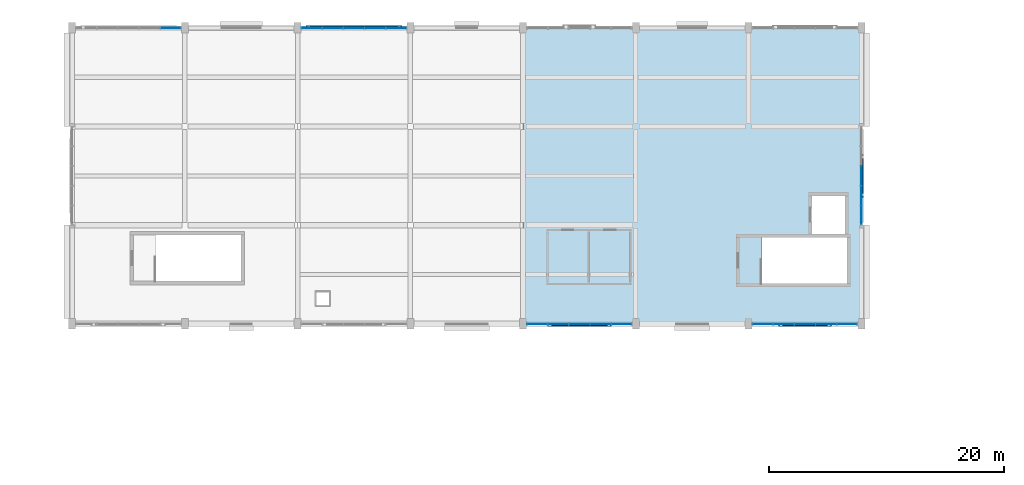
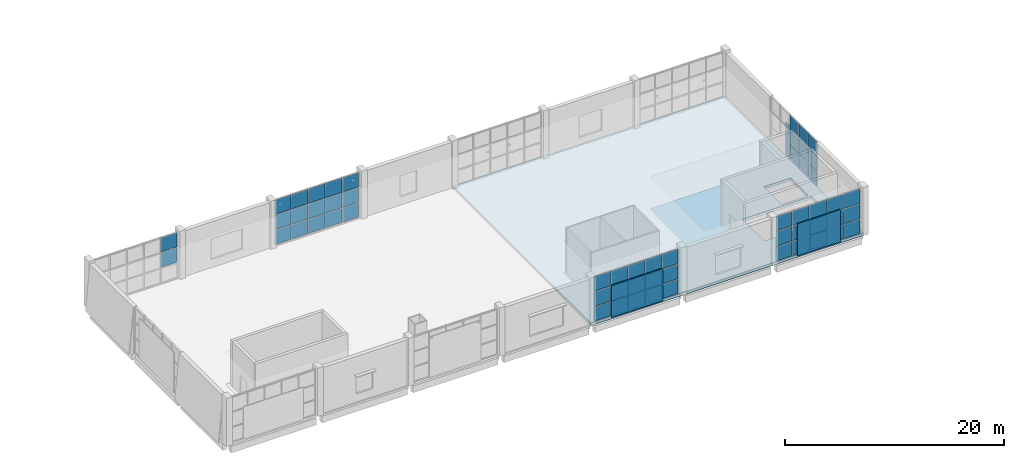
# One storey, part 33 of 57: 60 plates, 1 slab, 5 elements without a shape of their own.
"""IFC4 building model written with IfcOpenShell, lengths in metres."""

from ifc_helpers import new_model, si_unit, direction, frame, origin, origin_2d, place, context, subcontext, project, spatial, polyline, rectangle, outline, extrude, material, layer, layer_set, type_object, element, aggregate, save


model = new_model("IFC4")

# Units and contexts
model_context = context("Model", 3, precision=1e-05, world=origin(), true_north=direction((0.0, 1.0)))
body_context = subcontext(model_context, "Body", "Model", "MODEL_VIEW")
ifc_project = project(units=[si_unit("LENGTHUNIT", "METRE"), si_unit("AREAUNIT", "SQUARE_METRE"), si_unit("VOLUMEUNIT", "CUBIC_METRE"), si_unit("PLANEANGLEUNIT", "RADIAN"), si_unit("MASSUNIT", "GRAM", prefix="KILO")], contexts=[model_context])

# Site, building, storey
site_placement = place(None, origin())
site = spatial("IfcSite", under=ifc_project, at=site_placement, CompositionType="ELEMENT")
building_placement = place(site_placement, origin())
building = spatial("IfcBuilding", under=site, at=building_placement, Name="Shalvenor Court Art Gallery", CompositionType="ELEMENT")
storey_placement = place(building_placement, frame((0.0, 0.0, 16.800048828125)))
storey = spatial("IfcBuildingStorey", under=building, at=storey_placement, Name="L03", CompositionType="ELEMENT", Elevation=16.800048828125)

# Curtain wall, plates
ifc_material_1 = material(Name="Anodised aluminium and low-iron glass curtain wall", Category="aluminium")
curtain_wall_type_1 = type_object("IfcCurtainWallType", Name="CW-5x3-90-51-142", PredefinedType="USERDEFINED", material=ifc_material_1)
curtain_wall_1_placement = place(storey_placement, origin())
curtain_wall_1 = element("IfcCurtainWall", 1, at=curtain_wall_1_placement, inside=storey, type_object=curtain_wall_type_1, Name="L03 V2 Curtain Wall CW-L03-080", ObjectType="CURTAIN WALL", PredefinedType="USERDEFINED")
ifc_material_2 = material(Name="Low-iron triple-silver solar gallery glazing IGU", Category="glass")
ifc_layer_1 = layer(ifc_material_2, 0.031982421875, Name="Low-iron triple-silver solar gallery glazing IGU")
ifc_layer_set_1 = layer_set([ifc_layer_1], Name="Low-iron triple-silver solar gallery glazing IGU")
plate_type_1 = type_object("IfcPlateType", Name="CWP-02", PredefinedType="CURTAIN_PANEL", material=ifc_layer_set_1)
plate_1_placement = place(storey_placement, frame((65.983642578125, 122.39990234375, 1.735107421875), z_axis=(0.0, 0.0, 1.0), x_axis=(1.0, 0.0, 0.0)))
plate_1 = element("IfcPlate", 2, at=plate_1_placement, type_object=plate_type_1, Name="CW-5x3-90-51-142 panel 5.2", PredefinedType="CURTAIN_PANEL", context=body_context, shape_type="SweptSolid", body=[
    extrude(rectangle(XDim=1.702392578125, YDim=0.031982421875, at=origin_2d()), origin(), (0.0, 0.0, 1.0), 1.6298828125),
])
plate_2_placement = place(storey_placement, frame((65.983642578125, 122.39990234375, 3.43505859375), z_axis=(0.0, 0.0, 1.0), x_axis=(1.0, 0.0, 0.0)))
plate_2 = element("IfcPlate", 3, at=plate_2_placement, type_object=plate_type_1, Name="CW-5x3-90-51-142 panel 5.3", PredefinedType="CURTAIN_PANEL", context=body_context, shape_type="SweptSolid", body=[
    extrude(rectangle(XDim=1.702392578125, YDim=0.031982421875, at=origin_2d()), origin(), (0.0, 0.0, 1.0), 1.594970703125),
])
aggregate(curtain_wall_1, [plate_1, plate_2])

ifc_material_3 = material(Name="Anodised aluminium and low-iron glass curtain wall", Category="aluminium")
curtain_wall_type_2 = type_object("IfcCurtainWallType", Name="CW-5x3-90-51-212", PredefinedType="USERDEFINED", material=ifc_material_3)
curtain_wall_2_placement = place(storey_placement, origin())
curtain_wall_2 = element("IfcCurtainWall", 4, at=curtain_wall_2_placement, inside=storey, type_object=curtain_wall_type_2, Name="L03 V2 Curtain Wall CW-L03-081", ObjectType="CURTAIN WALL", PredefinedType="USERDEFINED")
plate_3_placement = place(storey_placement, frame((78.017578125, 122.39990234375, 0.06005859375), z_axis=(0.0, 0.0, 1.0), x_axis=(1.0, 0.0, 0.0)))
plate_3 = element("IfcPlate", 5, at=plate_3_placement, type_object=plate_type_1, Name="CW-5x3-90-51-212 panel 1.1", PredefinedType="CURTAIN_PANEL", context=body_context, shape_type="SweptSolid", body=[
    extrude(rectangle(XDim=1.695068359375, YDim=0.031982421875, at=origin_2d()), origin(), (0.0, 0.0, 1.0), 1.610107421875),
])
plate_4_placement = place(storey_placement, frame((78.017578125, 122.39990234375, 1.72998046875), z_axis=(0.0, 0.0, 1.0), x_axis=(1.0, 0.0, 0.0)))
plate_4 = element("IfcPlate", 6, at=plate_4_placement, type_object=plate_type_1, Name="CW-5x3-90-51-212 panel 1.2", PredefinedType="CURTAIN_PANEL", context=body_context, shape_type="SweptSolid", body=[
    extrude(rectangle(XDim=1.695068359375, YDim=0.031982421875, at=origin_2d()), origin(), (0.0, 0.0, 1.0), 1.639892578125),
])
plate_5_placement = place(storey_placement, frame((78.017578125, 122.39990234375, 3.4296875), z_axis=(0.0, 0.0, 1.0), x_axis=(1.0, 0.0, 0.0)))
plate_5 = element("IfcPlate", 7, at=plate_5_placement, type_object=plate_type_1, Name="CW-5x3-90-51-212 panel 1.3", PredefinedType="CURTAIN_PANEL", context=body_context, shape_type="SweptSolid", body=[
    extrude(rectangle(XDim=1.695068359375, YDim=0.031982421875, at=origin_2d()), origin(), (0.0, 0.0, 1.0), 1.610107421875),
])
plate_6_placement = place(storey_placement, frame((79.800048828125, 122.39990234375, 0.06005859375), z_axis=(0.0, 0.0, 1.0), x_axis=(1.0, 0.0, 0.0)))
plate_6 = element("IfcPlate", 8, at=plate_6_placement, type_object=plate_type_1, Name="CW-5x3-90-51-212 panel 2.1", PredefinedType="CURTAIN_PANEL", context=body_context, shape_type="SweptSolid", body=[
    extrude(rectangle(XDim=1.72998046875, YDim=0.031982421875, at=origin_2d()), origin(), (0.0, 0.0, 1.0), 1.610107421875),
])
plate_7_placement = place(storey_placement, frame((79.800048828125, 122.39990234375, 1.72998046875), z_axis=(0.0, 0.0, 1.0), x_axis=(1.0, 0.0, 0.0)))
plate_7 = element("IfcPlate", 9, at=plate_7_placement, type_object=plate_type_1, Name="CW-5x3-90-51-212 panel 2.2", PredefinedType="CURTAIN_PANEL", context=body_context, shape_type="SweptSolid", body=[
    extrude(rectangle(XDim=1.72998046875, YDim=0.031982421875, at=origin_2d()), origin(), (0.0, 0.0, 1.0), 1.639892578125),
])
plate_8_placement = place(storey_placement, frame((79.800048828125, 122.39990234375, 3.4296875), z_axis=(0.0, 0.0, 1.0), x_axis=(1.0, 0.0, 0.0)))
plate_8 = element("IfcPlate", 10, at=plate_8_placement, type_object=plate_type_1, Name="CW-5x3-90-51-212 panel 2.3", PredefinedType="CURTAIN_PANEL", context=body_context, shape_type="SweptSolid", body=[
    extrude(rectangle(XDim=1.72998046875, YDim=0.031982421875, at=origin_2d()), origin(), (0.0, 0.0, 1.0), 1.610107421875),
])
plate_9_placement = place(storey_placement, frame((81.60009765625, 122.39990234375, 0.06005859375), z_axis=(0.0, 0.0, 1.0), x_axis=(1.0, 0.0, 0.0)))
plate_9 = element("IfcPlate", 11, at=plate_9_placement, type_object=plate_type_1, Name="CW-5x3-90-51-212 panel 3.1", PredefinedType="CURTAIN_PANEL", context=body_context, shape_type="SweptSolid", body=[
    extrude(rectangle(XDim=1.72998046875, YDim=0.031982421875, at=origin_2d()), origin(), (0.0, 0.0, 1.0), 1.610107421875),
])
plate_10_placement = place(storey_placement, frame((81.60009765625, 122.39990234375, 1.72998046875), z_axis=(0.0, 0.0, 1.0), x_axis=(1.0, 0.0, 0.0)))
plate_10 = element("IfcPlate", 12, at=plate_10_placement, type_object=plate_type_1, Name="CW-5x3-90-51-212 panel 3.2", PredefinedType="CURTAIN_PANEL", context=body_context, shape_type="SweptSolid", body=[
    extrude(rectangle(XDim=1.72998046875, YDim=0.031982421875, at=origin_2d()), origin(), (0.0, 0.0, 1.0), 1.639892578125),
])
plate_11_placement = place(storey_placement, frame((81.60009765625, 122.39990234375, 3.4296875), z_axis=(0.0, 0.0, 1.0), x_axis=(1.0, 0.0, 0.0)))
plate_11 = element("IfcPlate", 13, at=plate_11_placement, type_object=plate_type_1, Name="CW-5x3-90-51-212 panel 3.3", PredefinedType="CURTAIN_PANEL", context=body_context, shape_type="SweptSolid", body=[
    extrude(rectangle(XDim=1.72998046875, YDim=0.031982421875, at=origin_2d()), origin(), (0.0, 0.0, 1.0), 1.610107421875),
])
plate_12_placement = place(storey_placement, frame((83.39990234375, 122.39990234375, 0.06005859375), z_axis=(0.0, 0.0, 1.0), x_axis=(1.0, 0.0, 0.0)))
plate_12 = element("IfcPlate", 14, at=plate_12_placement, type_object=plate_type_1, Name="CW-5x3-90-51-212 panel 4.1", PredefinedType="CURTAIN_PANEL", context=body_context, shape_type="SweptSolid", body=[
    extrude(rectangle(XDim=1.72998046875, YDim=0.031982421875, at=origin_2d()), origin(), (0.0, 0.0, 1.0), 1.610107421875),
])
plate_13_placement = place(storey_placement, frame((83.39990234375, 122.39990234375, 1.72998046875), z_axis=(0.0, 0.0, 1.0), x_axis=(1.0, 0.0, 0.0)))
plate_13 = element("IfcPlate", 15, at=plate_13_placement, type_object=plate_type_1, Name="CW-5x3-90-51-212 panel 4.2", PredefinedType="CURTAIN_PANEL", context=body_context, shape_type="SweptSolid", body=[
    extrude(rectangle(XDim=1.72998046875, YDim=0.031982421875, at=origin_2d()), origin(), (0.0, 0.0, 1.0), 1.639892578125),
])
plate_14_placement = place(storey_placement, frame((83.39990234375, 122.39990234375, 3.4296875), z_axis=(0.0, 0.0, 1.0), x_axis=(1.0, 0.0, 0.0)))
plate_14 = element("IfcPlate", 16, at=plate_14_placement, type_object=plate_type_1, Name="CW-5x3-90-51-212 panel 4.3", PredefinedType="CURTAIN_PANEL", context=body_context, shape_type="SweptSolid", body=[
    extrude(rectangle(XDim=1.72998046875, YDim=0.031982421875, at=origin_2d()), origin(), (0.0, 0.0, 1.0), 1.610107421875),
])
plate_15_placement = place(storey_placement, frame((85.1826171875, 122.39990234375, 0.06005859375), z_axis=(0.0, 0.0, 1.0), x_axis=(1.0, 0.0, 0.0)))
plate_15 = element("IfcPlate", 17, at=plate_15_placement, type_object=plate_type_1, Name="CW-5x3-90-51-212 panel 5.1", PredefinedType="CURTAIN_PANEL", context=body_context, shape_type="SweptSolid", body=[
    extrude(rectangle(XDim=1.695068359375, YDim=0.031982421875, at=origin_2d()), origin(), (0.0, 0.0, 1.0), 1.610107421875),
])
plate_16_placement = place(storey_placement, frame((85.1826171875, 122.39990234375, 1.72998046875), z_axis=(0.0, 0.0, 1.0), x_axis=(1.0, 0.0, 0.0)))
plate_16 = element("IfcPlate", 18, at=plate_16_placement, type_object=plate_type_1, Name="CW-5x3-90-51-212 panel 5.2", PredefinedType="CURTAIN_PANEL", context=body_context, shape_type="SweptSolid", body=[
    extrude(rectangle(XDim=1.695068359375, YDim=0.031982421875, at=origin_2d()), origin(), (0.0, 0.0, 1.0), 1.639892578125),
])
plate_17_placement = place(storey_placement, frame((85.1826171875, 122.39990234375, 3.4296875), z_axis=(0.0, 0.0, 1.0), x_axis=(1.0, 0.0, 0.0)))
plate_17 = element("IfcPlate", 19, at=plate_17_placement, type_object=plate_type_1, Name="CW-5x3-90-51-212 panel 5.3", PredefinedType="CURTAIN_PANEL", context=body_context, shape_type="SweptSolid", body=[
    extrude(rectangle(XDim=1.695068359375, YDim=0.031982421875, at=origin_2d()), origin(), (0.0, 0.0, 1.0), 1.610107421875),
])
aggregate(curtain_wall_2, [plate_3, plate_4, plate_5, plate_6, plate_7, plate_8, plate_9, plate_10, plate_11, plate_12, plate_13, plate_14, plate_15, plate_16, plate_17])

ifc_material_4 = material(Name="Anodised aluminium and low-iron glass curtain wall", Category="aluminium")
curtain_wall_type_3 = type_object("IfcCurtainWallType", Name="CW-5x3-84-51-112", PredefinedType="USERDEFINED", material=ifc_material_4)
curtain_wall_3_placement = place(storey_placement, origin())
curtain_wall_3 = element("IfcCurtainWall", 20, at=curtain_wall_3_placement, inside=storey, type_object=curtain_wall_type_3, Name="L03 V2 Curtain Wall CW-L03-084", ObjectType="CURTAIN WALL", PredefinedType="USERDEFINED")
plate_18_placement = place(storey_placement, frame((124.800048828125, 109.800048828125, 0.06005859375), z_axis=(0.0, 0.0, 1.0), x_axis=(0.0, -1.0, 0.0)))
plate_18 = element("IfcPlate", 21, at=plate_18_placement, type_object=plate_type_1, Name="CW-5x3-84-51-112 panel 3.1", PredefinedType="CURTAIN_PANEL", context=body_context, shape_type="SweptSolid", body=[
    extrude(rectangle(XDim=1.614990234375, YDim=0.031982421875, at=origin_2d()), origin(), (0.0, 0.0, 1.0), 1.610107421875),
])
plate_19_placement = place(storey_placement, frame((124.800048828125, 109.800048828125, 1.72998046875), z_axis=(0.0, 0.0, 1.0), x_axis=(0.0, -1.0, 0.0)))
plate_19 = element("IfcPlate", 22, at=plate_19_placement, type_object=plate_type_1, Name="CW-5x3-84-51-112 panel 3.2", PredefinedType="CURTAIN_PANEL", context=body_context, shape_type="SweptSolid", body=[
    extrude(rectangle(XDim=1.614990234375, YDim=0.031982421875, at=origin_2d()), origin(), (0.0, 0.0, 1.0), 1.639892578125),
])
plate_20_placement = place(storey_placement, frame((124.800048828125, 109.800048828125, 3.4296875), z_axis=(0.0, 0.0, 1.0), x_axis=(0.0, -1.0, 0.0)))
plate_20 = element("IfcPlate", 23, at=plate_20_placement, type_object=plate_type_1, Name="CW-5x3-84-51-112 panel 3.3", PredefinedType="CURTAIN_PANEL", context=body_context, shape_type="SweptSolid", body=[
    extrude(rectangle(XDim=1.614990234375, YDim=0.031982421875, at=origin_2d()), origin(), (0.0, 0.0, 1.0), 1.610107421875),
])
plate_21_placement = place(storey_placement, frame((124.800048828125, 108.1201171875, 0.06005859375), z_axis=(0.0, 0.0, 1.0), x_axis=(0.0, -1.0, 0.0)))
plate_21 = element("IfcPlate", 24, at=plate_21_placement, type_object=plate_type_1, Name="CW-5x3-84-51-112 panel 4.1", PredefinedType="CURTAIN_PANEL", context=body_context, shape_type="SweptSolid", body=[
    extrude(rectangle(XDim=1.614990234375, YDim=0.031982421875, at=origin_2d()), origin(), (0.0, 0.0, 1.0), 1.610107421875),
])
plate_22_placement = place(storey_placement, frame((124.800048828125, 108.1201171875, 1.72998046875), z_axis=(0.0, 0.0, 1.0), x_axis=(0.0, -1.0, 0.0)))
plate_22 = element("IfcPlate", 25, at=plate_22_placement, type_object=plate_type_1, Name="CW-5x3-84-51-112 panel 4.2", PredefinedType="CURTAIN_PANEL", context=body_context, shape_type="SweptSolid", body=[
    extrude(rectangle(XDim=1.614990234375, YDim=0.031982421875, at=origin_2d()), origin(), (0.0, 0.0, 1.0), 1.639892578125),
])
plate_23_placement = place(storey_placement, frame((124.800048828125, 108.1201171875, 3.4296875), z_axis=(0.0, 0.0, 1.0), x_axis=(0.0, -1.0, 0.0)))
plate_23 = element("IfcPlate", 26, at=plate_23_placement, type_object=plate_type_1, Name="CW-5x3-84-51-112 panel 4.3", PredefinedType="CURTAIN_PANEL", context=body_context, shape_type="SweptSolid", body=[
    extrude(rectangle(XDim=1.614990234375, YDim=0.031982421875, at=origin_2d()), origin(), (0.0, 0.0, 1.0), 1.610107421875),
])
plate_24_placement = place(storey_placement, frame((124.800048828125, 106.456298828125, 0.06005859375), z_axis=(0.0, 0.0, 1.0), x_axis=(0.0, -1.0, 0.0)))
plate_24 = element("IfcPlate", 27, at=plate_24_placement, type_object=plate_type_1, Name="CW-5x3-84-51-112 panel 5.1", PredefinedType="CURTAIN_PANEL", context=body_context, shape_type="SweptSolid", body=[
    extrude(rectangle(XDim=1.58251953125, YDim=0.031982421875, at=origin_2d()), origin(), (0.0, 0.0, 1.0), 1.610107421875),
])
plate_25_placement = place(storey_placement, frame((124.800048828125, 106.456298828125, 1.72998046875), z_axis=(0.0, 0.0, 1.0), x_axis=(0.0, -1.0, 0.0)))
plate_25 = element("IfcPlate", 28, at=plate_25_placement, type_object=plate_type_1, Name="CW-5x3-84-51-112 panel 5.2", PredefinedType="CURTAIN_PANEL", context=body_context, shape_type="SweptSolid", body=[
    extrude(rectangle(XDim=1.58251953125, YDim=0.031982421875, at=origin_2d()), origin(), (0.0, 0.0, 1.0), 1.639892578125),
])
plate_26_placement = place(storey_placement, frame((124.800048828125, 106.456298828125, 3.4296875), z_axis=(0.0, 0.0, 1.0), x_axis=(0.0, -1.0, 0.0)))
plate_26 = element("IfcPlate", 29, at=plate_26_placement, type_object=plate_type_1, Name="CW-5x3-84-51-112 panel 5.3", PredefinedType="CURTAIN_PANEL", context=body_context, shape_type="SweptSolid", body=[
    extrude(rectangle(XDim=1.58251953125, YDim=0.031982421875, at=origin_2d()), origin(), (0.0, 0.0, 1.0), 1.610107421875),
])
aggregate(curtain_wall_3, [plate_18, plate_19, plate_20, plate_21, plate_22, plate_23, plate_24, plate_25, plate_26])

ifc_material_5 = material(Name="Anodised aluminium and low-iron glass curtain wall", Category="aluminium")
curtain_wall_type_4 = type_object("IfcCurtainWallType", Name="CW-5x3-90-51-222", PredefinedType="USERDEFINED", material=ifc_material_5)
curtain_wall_4_placement = place(storey_placement, origin())
curtain_wall_4 = element("IfcCurtainWall", 30, at=curtain_wall_4_placement, inside=storey, type_object=curtain_wall_type_4, Name="L03 V2 Curtain Wall CW-L03-085", ObjectType="CURTAIN WALL", PredefinedType="USERDEFINED")
plate_27_placement = place(storey_placement, frame((123.58251953125, 97.199951171875, 0.06494140625), z_axis=(0.0, 0.0, 1.0), x_axis=(-1.0, 0.0, 0.0)))
plate_27 = element("IfcPlate", 31, at=plate_27_placement, type_object=plate_type_1, Name="CW-5x3-90-51-222 panel 1.1", PredefinedType="CURTAIN_PANEL", context=body_context, shape_type="SweptSolid", body=[
    extrude(rectangle(XDim=1.695068359375, YDim=0.031982421875, at=origin_2d()), origin(), (0.0, 0.0, 1.0), 1.6025390625),
])
plate_28_placement = place(storey_placement, frame((123.58251953125, 97.199951171875, 1.732421875), z_axis=(0.0, 0.0, 1.0), x_axis=(-1.0, 0.0, 0.0)))
plate_28 = element("IfcPlate", 32, at=plate_28_placement, type_object=plate_type_1, Name="CW-5x3-90-51-222 panel 1.2", PredefinedType="CURTAIN_PANEL", context=body_context, shape_type="SweptSolid", body=[
    extrude(rectangle(XDim=1.695068359375, YDim=0.031982421875, at=origin_2d()), origin(), (0.0, 0.0, 1.0), 1.635009765625),
])
plate_29_placement = place(storey_placement, frame((123.58251953125, 97.199951171875, 3.432373046875), z_axis=(0.0, 0.0, 1.0), x_axis=(-1.0, 0.0, 0.0)))
plate_29 = element("IfcPlate", 33, at=plate_29_placement, type_object=plate_type_1, Name="CW-5x3-90-51-222 panel 1.3", PredefinedType="CURTAIN_PANEL", context=body_context, shape_type="SweptSolid", body=[
    extrude(rectangle(XDim=1.695068359375, YDim=0.031982421875, at=origin_2d()), origin(), (0.0, 0.0, 1.0), 1.6025390625),
])
plate_30_placement = place(storey_placement, frame((121.800048828125, 97.199951171875, 0.06494140625), z_axis=(0.0, 0.0, 1.0), x_axis=(-1.0, 0.0, 0.0)))
plate_30 = element("IfcPlate", 34, at=plate_30_placement, type_object=plate_type_1, Name="CW-5x3-90-51-222 panel 2.1", PredefinedType="CURTAIN_PANEL", context=body_context, shape_type="SweptSolid", body=[
    extrude(rectangle(XDim=1.72998046875, YDim=0.031982421875, at=origin_2d()), origin(), (0.0, 0.0, 1.0), 1.6025390625),
])
plate_31_placement = place(storey_placement, frame((121.800048828125, 97.199951171875, 1.732421875), z_axis=(0.0, 0.0, 1.0), x_axis=(-1.0, 0.0, 0.0)))
plate_31 = element("IfcPlate", 35, at=plate_31_placement, type_object=plate_type_1, Name="CW-5x3-90-51-222 panel 2.2", PredefinedType="CURTAIN_PANEL", context=body_context, shape_type="SweptSolid", body=[
    extrude(rectangle(XDim=1.72998046875, YDim=0.031982421875, at=origin_2d()), origin(), (0.0, 0.0, 1.0), 1.635009765625),
])
plate_32_placement = place(storey_placement, frame((121.800048828125, 97.199951171875, 3.432373046875), z_axis=(0.0, 0.0, 1.0), x_axis=(-1.0, 0.0, 0.0)))
plate_32 = element("IfcPlate", 36, at=plate_32_placement, type_object=plate_type_1, Name="CW-5x3-90-51-222 panel 2.3", PredefinedType="CURTAIN_PANEL", context=body_context, shape_type="SweptSolid", body=[
    extrude(rectangle(XDim=1.72998046875, YDim=0.031982421875, at=origin_2d()), origin(), (0.0, 0.0, 1.0), 1.6025390625),
])
plate_33_placement = place(storey_placement, frame((120.0, 97.199951171875, 0.06494140625), z_axis=(0.0, 0.0, 1.0), x_axis=(-1.0, 0.0, 0.0)))
plate_33 = element("IfcPlate", 37, at=plate_33_placement, type_object=plate_type_1, Name="CW-5x3-90-51-222 panel 3.1", PredefinedType="CURTAIN_PANEL", context=body_context, shape_type="SweptSolid", body=[
    extrude(rectangle(XDim=1.72998046875, YDim=0.031982421875, at=origin_2d()), origin(), (0.0, 0.0, 1.0), 1.6025390625),
])
plate_34_placement = place(storey_placement, frame((120.0, 97.199951171875, 1.732421875), z_axis=(0.0, 0.0, 1.0), x_axis=(-1.0, 0.0, 0.0)))
plate_34 = element("IfcPlate", 38, at=plate_34_placement, type_object=plate_type_1, Name="CW-5x3-90-51-222 panel 3.2", PredefinedType="CURTAIN_PANEL", context=body_context, shape_type="SweptSolid", body=[
    extrude(rectangle(XDim=1.72998046875, YDim=0.031982421875, at=origin_2d()), origin(), (0.0, 0.0, 1.0), 1.635009765625),
])
plate_35_placement = place(storey_placement, frame((120.0, 97.199951171875, 3.432373046875), z_axis=(0.0, 0.0, 1.0), x_axis=(-1.0, 0.0, 0.0)))
plate_35 = element("IfcPlate", 39, at=plate_35_placement, type_object=plate_type_1, Name="CW-5x3-90-51-222 panel 3.3", PredefinedType="CURTAIN_PANEL", context=body_context, shape_type="SweptSolid", body=[
    extrude(rectangle(XDim=1.72998046875, YDim=0.031982421875, at=origin_2d()), origin(), (0.0, 0.0, 1.0), 1.6025390625),
])
plate_36_placement = place(storey_placement, frame((118.199951171875, 97.199951171875, 0.06494140625), z_axis=(0.0, 0.0, 1.0), x_axis=(-1.0, 0.0, 0.0)))
plate_36 = element("IfcPlate", 40, at=plate_36_placement, type_object=plate_type_1, Name="CW-5x3-90-51-222 panel 4.1", PredefinedType="CURTAIN_PANEL", context=body_context, shape_type="SweptSolid", body=[
    extrude(rectangle(XDim=1.72998046875, YDim=0.031982421875, at=origin_2d()), origin(), (0.0, 0.0, 1.0), 1.6025390625),
])
plate_37_placement = place(storey_placement, frame((118.199951171875, 97.199951171875, 1.732421875), z_axis=(0.0, 0.0, 1.0), x_axis=(-1.0, 0.0, 0.0)))
plate_37 = element("IfcPlate", 41, at=plate_37_placement, type_object=plate_type_1, Name="CW-5x3-90-51-222 panel 4.2", PredefinedType="CURTAIN_PANEL", context=body_context, shape_type="SweptSolid", body=[
    extrude(rectangle(XDim=1.72998046875, YDim=0.031982421875, at=origin_2d()), origin(), (0.0, 0.0, 1.0), 1.635009765625),
])
plate_38_placement = place(storey_placement, frame((118.199951171875, 97.199951171875, 3.432373046875), z_axis=(0.0, 0.0, 1.0), x_axis=(-1.0, 0.0, 0.0)))
plate_38 = element("IfcPlate", 42, at=plate_38_placement, type_object=plate_type_1, Name="CW-5x3-90-51-222 panel 4.3", PredefinedType="CURTAIN_PANEL", context=body_context, shape_type="SweptSolid", body=[
    extrude(rectangle(XDim=1.72998046875, YDim=0.031982421875, at=origin_2d()), origin(), (0.0, 0.0, 1.0), 1.6025390625),
])
plate_39_placement = place(storey_placement, frame((116.41748046875, 97.199951171875, 0.06494140625), z_axis=(0.0, 0.0, 1.0), x_axis=(-1.0, 0.0, 0.0)))
plate_39 = element("IfcPlate", 43, at=plate_39_placement, type_object=plate_type_1, Name="CW-5x3-90-51-222 panel 5.1", PredefinedType="CURTAIN_PANEL", context=body_context, shape_type="SweptSolid", body=[
    extrude(rectangle(XDim=1.695068359375, YDim=0.031982421875, at=origin_2d()), origin(), (0.0, 0.0, 1.0), 1.6025390625),
])
plate_40_placement = place(storey_placement, frame((116.41748046875, 97.199951171875, 1.732421875), z_axis=(0.0, 0.0, 1.0), x_axis=(-1.0, 0.0, 0.0)))
plate_40 = element("IfcPlate", 44, at=plate_40_placement, type_object=plate_type_1, Name="CW-5x3-90-51-222 panel 5.2", PredefinedType="CURTAIN_PANEL", context=body_context, shape_type="SweptSolid", body=[
    extrude(rectangle(XDim=1.695068359375, YDim=0.031982421875, at=origin_2d()), origin(), (0.0, 0.0, 1.0), 1.635009765625),
])
plate_41_placement = place(storey_placement, frame((116.41748046875, 97.199951171875, 3.432373046875), z_axis=(0.0, 0.0, 1.0), x_axis=(-1.0, 0.0, 0.0)))
plate_41 = element("IfcPlate", 45, at=plate_41_placement, type_object=plate_type_1, Name="CW-5x3-90-51-222 panel 5.3", PredefinedType="CURTAIN_PANEL", context=body_context, shape_type="SweptSolid", body=[
    extrude(rectangle(XDim=1.695068359375, YDim=0.031982421875, at=origin_2d()), origin(), (0.0, 0.0, 1.0), 1.6025390625),
])
aggregate(curtain_wall_4, [plate_27, plate_28, plate_29, plate_30, plate_31, plate_32, plate_33, plate_34, plate_35, plate_36, plate_37, plate_38, plate_39, plate_40, plate_41])

ifc_material_6 = material(Name="Anodised aluminium and low-iron glass curtain wall", Category="aluminium")
curtain_wall_type_5 = type_object("IfcCurtainWallType", Name="CW-5x3-90-51-442", PredefinedType="USERDEFINED", material=ifc_material_6)
curtain_wall_5_placement = place(storey_placement, origin())
curtain_wall_5 = element("IfcCurtainWall", 46, at=curtain_wall_5_placement, inside=storey, type_object=curtain_wall_type_5, Name="L03 V2 Curtain Wall CW-L03-086", ObjectType="CURTAIN WALL", PredefinedType="USERDEFINED")
plate_42_placement = place(storey_placement, frame((104.38134765625, 97.199951171875, 0.06982421875), z_axis=(0.0, 0.0, 1.0), x_axis=(-1.0, 0.0, 0.0)))
plate_42 = element("IfcPlate", 47, at=plate_42_placement, type_object=plate_type_1, Name="CW-5x3-90-51-442 panel 1.1", PredefinedType="CURTAIN_PANEL", context=body_context, shape_type="SweptSolid", body=[
    extrude(rectangle(XDim=1.6875, YDim=0.031982421875, at=origin_2d()), origin(), (0.0, 0.0, 1.0), 1.594970703125),
])
plate_43_placement = place(storey_placement, frame((104.38134765625, 97.199951171875, 1.735107421875), z_axis=(0.0, 0.0, 1.0), x_axis=(-1.0, 0.0, 0.0)))
plate_43 = element("IfcPlate", 48, at=plate_43_placement, type_object=plate_type_1, Name="CW-5x3-90-51-442 panel 1.2", PredefinedType="CURTAIN_PANEL", context=body_context, shape_type="SweptSolid", body=[
    extrude(rectangle(XDim=1.6875, YDim=0.031982421875, at=origin_2d()), origin(), (0.0, 0.0, 1.0), 1.6298828125),
])
plate_44_placement = place(storey_placement, frame((104.38134765625, 97.199951171875, 3.43505859375), z_axis=(0.0, 0.0, 1.0), x_axis=(-1.0, 0.0, 0.0)))
plate_44 = element("IfcPlate", 49, at=plate_44_placement, type_object=plate_type_1, Name="CW-5x3-90-51-442 panel 1.3", PredefinedType="CURTAIN_PANEL", context=body_context, shape_type="SweptSolid", body=[
    extrude(rectangle(XDim=1.6875, YDim=0.031982421875, at=origin_2d()), origin(), (0.0, 0.0, 1.0), 1.594970703125),
])
plate_45_placement = place(storey_placement, frame((102.60009765625, 97.199951171875, 0.06982421875), z_axis=(0.0, 0.0, 1.0), x_axis=(-1.0, 0.0, 0.0)))
plate_45 = element("IfcPlate", 50, at=plate_45_placement, type_object=plate_type_1, Name="CW-5x3-90-51-442 panel 2.1", PredefinedType="CURTAIN_PANEL", context=body_context, shape_type="SweptSolid", body=[
    extrude(rectangle(XDim=1.72509765625, YDim=0.031982421875, at=origin_2d()), origin(), (0.0, 0.0, 1.0), 1.594970703125),
])
plate_46_placement = place(storey_placement, frame((102.60009765625, 97.199951171875, 1.735107421875), z_axis=(0.0, 0.0, 1.0), x_axis=(-1.0, 0.0, 0.0)))
plate_46 = element("IfcPlate", 51, at=plate_46_placement, type_object=plate_type_1, Name="CW-5x3-90-51-442 panel 2.2", PredefinedType="CURTAIN_PANEL", context=body_context, shape_type="SweptSolid", body=[
    extrude(rectangle(XDim=1.72509765625, YDim=0.031982421875, at=origin_2d()), origin(), (0.0, 0.0, 1.0), 1.6298828125),
])
plate_47_placement = place(storey_placement, frame((102.60009765625, 97.199951171875, 3.43505859375), z_axis=(0.0, 0.0, 1.0), x_axis=(-1.0, 0.0, 0.0)))
plate_47 = element("IfcPlate", 52, at=plate_47_placement, type_object=plate_type_1, Name="CW-5x3-90-51-442 panel 2.3", PredefinedType="CURTAIN_PANEL", context=body_context, shape_type="SweptSolid", body=[
    extrude(rectangle(XDim=1.72509765625, YDim=0.031982421875, at=origin_2d()), origin(), (0.0, 0.0, 1.0), 1.594970703125),
])
plate_48_placement = place(storey_placement, frame((100.800048828125, 97.199951171875, 0.06982421875), z_axis=(0.0, 0.0, 1.0), x_axis=(-1.0, 0.0, 0.0)))
plate_48 = element("IfcPlate", 53, at=plate_48_placement, type_object=plate_type_1, Name="CW-5x3-90-51-442 panel 3.1", PredefinedType="CURTAIN_PANEL", context=body_context, shape_type="SweptSolid", body=[
    extrude(rectangle(XDim=1.72509765625, YDim=0.031982421875, at=origin_2d()), origin(), (0.0, 0.0, 1.0), 1.594970703125),
])
plate_49_placement = place(storey_placement, frame((100.800048828125, 97.199951171875, 1.735107421875), z_axis=(0.0, 0.0, 1.0), x_axis=(-1.0, 0.0, 0.0)))
plate_49 = element("IfcPlate", 54, at=plate_49_placement, type_object=plate_type_1, Name="CW-5x3-90-51-442 panel 3.2", PredefinedType="CURTAIN_PANEL", context=body_context, shape_type="SweptSolid", body=[
    extrude(rectangle(XDim=1.72509765625, YDim=0.031982421875, at=origin_2d()), origin(), (0.0, 0.0, 1.0), 1.6298828125),
])
plate_50_placement = place(storey_placement, frame((100.800048828125, 97.199951171875, 3.43505859375), z_axis=(0.0, 0.0, 1.0), x_axis=(-1.0, 0.0, 0.0)))
plate_50 = element("IfcPlate", 55, at=plate_50_placement, type_object=plate_type_1, Name="CW-5x3-90-51-442 panel 3.3", PredefinedType="CURTAIN_PANEL", context=body_context, shape_type="SweptSolid", body=[
    extrude(rectangle(XDim=1.72509765625, YDim=0.031982421875, at=origin_2d()), origin(), (0.0, 0.0, 1.0), 1.594970703125),
])
plate_51_placement = place(storey_placement, frame((99.0, 97.199951171875, 0.06982421875), z_axis=(0.0, 0.0, 1.0), x_axis=(-1.0, 0.0, 0.0)))
plate_51 = element("IfcPlate", 56, at=plate_51_placement, type_object=plate_type_1, Name="CW-5x3-90-51-442 panel 4.1", PredefinedType="CURTAIN_PANEL", context=body_context, shape_type="SweptSolid", body=[
    extrude(rectangle(XDim=1.72509765625, YDim=0.031982421875, at=origin_2d()), origin(), (0.0, 0.0, 1.0), 1.594970703125),
])
plate_52_placement = place(storey_placement, frame((99.0, 97.199951171875, 1.735107421875), z_axis=(0.0, 0.0, 1.0), x_axis=(-1.0, 0.0, 0.0)))
plate_52 = element("IfcPlate", 57, at=plate_52_placement, type_object=plate_type_1, Name="CW-5x3-90-51-442 panel 4.2", PredefinedType="CURTAIN_PANEL", context=body_context, shape_type="SweptSolid", body=[
    extrude(rectangle(XDim=1.72509765625, YDim=0.031982421875, at=origin_2d()), origin(), (0.0, 0.0, 1.0), 1.6298828125),
])
plate_53_placement = place(storey_placement, frame((99.0, 97.199951171875, 3.43505859375), z_axis=(0.0, 0.0, 1.0), x_axis=(-1.0, 0.0, 0.0)))
plate_53 = element("IfcPlate", 58, at=plate_53_placement, type_object=plate_type_1, Name="CW-5x3-90-51-442 panel 4.3", PredefinedType="CURTAIN_PANEL", context=body_context, shape_type="SweptSolid", body=[
    extrude(rectangle(XDim=1.72509765625, YDim=0.031982421875, at=origin_2d()), origin(), (0.0, 0.0, 1.0), 1.594970703125),
])
plate_54_placement = place(storey_placement, frame((97.21875, 97.199951171875, 0.06982421875), z_axis=(0.0, 0.0, 1.0), x_axis=(-1.0, 0.0, 0.0)))
plate_54 = element("IfcPlate", 59, at=plate_54_placement, type_object=plate_type_1, Name="CW-5x3-90-51-442 panel 5.1", PredefinedType="CURTAIN_PANEL", context=body_context, shape_type="SweptSolid", body=[
    extrude(rectangle(XDim=1.6875, YDim=0.031982421875, at=origin_2d()), origin(), (0.0, 0.0, 1.0), 1.594970703125),
])
plate_55_placement = place(storey_placement, frame((97.21875, 97.199951171875, 1.735107421875), z_axis=(0.0, 0.0, 1.0), x_axis=(-1.0, 0.0, 0.0)))
plate_55 = element("IfcPlate", 60, at=plate_55_placement, type_object=plate_type_1, Name="CW-5x3-90-51-442 panel 5.2", PredefinedType="CURTAIN_PANEL", context=body_context, shape_type="SweptSolid", body=[
    extrude(rectangle(XDim=1.6875, YDim=0.031982421875, at=origin_2d()), origin(), (0.0, 0.0, 1.0), 1.6298828125),
])
plate_56_placement = place(storey_placement, frame((97.21875, 97.199951171875, 3.43505859375), z_axis=(0.0, 0.0, 1.0), x_axis=(-1.0, 0.0, 0.0)))
plate_56 = element("IfcPlate", 61, at=plate_56_placement, type_object=plate_type_1, Name="CW-5x3-90-51-442 panel 5.3", PredefinedType="CURTAIN_PANEL", context=body_context, shape_type="SweptSolid", body=[
    extrude(rectangle(XDim=1.6875, YDim=0.031982421875, at=origin_2d()), origin(), (0.0, 0.0, 1.0), 1.594970703125),
])
aggregate(curtain_wall_5, [plate_42, plate_43, plate_44, plate_45, plate_46, plate_47, plate_48, plate_49, plate_50, plate_51, plate_52, plate_53, plate_54, plate_55, plate_56])

# Slab
ifc_material_7 = material(Name="Concrete C40/50", Category="concrete")
ifc_layer_2 = layer(ifc_material_7, 0.300048828125, Name="Concrete C40/50")
ifc_layer_set_2 = layer_set([ifc_layer_2], Name="Concrete C40/50")
slab_type = type_object("IfcSlabType", Name="FS-300", PredefinedType="FLOOR", material=ifc_layer_set_2)
slab_placement = place(storey_placement, frame((0.0, 0.0, -0.300048828125)))
element("IfcSlab", 62, at=slab_placement, inside=storey, type_object=slab_type, Name="L03 V2 Floor Slab 3", PredefinedType="FLOOR", context=body_context, shape_type="SweptSolid", body=[
    extrude(outline(polyline([(124.800048828125, 97.199951171875), (96.0, 97.199951171875), (96.0, 122.39990234375), (124.800048828125, 122.39990234375), (124.800048828125, 97.199951171875)]), holes=[polyline([(123.60009765625, 100.60009765625), (123.60009765625, 104.60009765625), (116.31103515625, 104.60009765625), (116.31103515625, 100.60009765625), (123.60009765625, 100.60009765625)]), polyline([(120.60009765625, 108.10009765625), (120.60009765625, 104.8720703125), (123.39990234375, 104.8720703125), (123.39990234375, 108.10009765625), (120.60009765625, 108.10009765625)])]), origin(), (0.0, 0.0, 1.0), 0.300048828125),
])

# Plates
ifc_material_8 = material(Name="Perforated pale limestone GRC lattice", Category="masonry")
ifc_layer_3 = layer(ifc_material_8, 0.090087890625, Name="Perforated pale limestone GRC lattice")
ifc_layer_set_3 = layer_set([ifc_layer_3], Name="Perforated pale limestone GRC lattice")
plate_type_2 = type_object("IfcPlateType", Name="SCR-01", PredefinedType="USERDEFINED", material=ifc_layer_set_3)
plate_57_placement = place(storey_placement, frame((124.93310546875, 109.800048828125, 0.0), z_axis=(0.0, 0.0, 1.0), x_axis=(0.0, -1.0, 0.0)))
element("IfcPlate", 63, at=plate_57_placement, inside=storey, type_object=plate_type_2, Name="L03 V2 Perforated Stone Lattice Screen PLT-SCR-0071", ObjectType="SCREEN", PredefinedType="USERDEFINED", context=body_context, shape_type="SweptSolid", body=[
    extrude(rectangle(XDim=3.60009765625, YDim=0.090087890625, at=origin_2d()), origin(), (0.0, 0.0, 1.0), 3.60009765625),
])
ifc_material_9 = material(Name="Perforated pale limestone GRC lattice", Category="masonry")
ifc_layer_4 = layer(ifc_material_9, 0.090087890625, Name="Perforated pale limestone GRC lattice")
ifc_layer_set_4 = layer_set([ifc_layer_4], Name="Perforated pale limestone GRC lattice")
plate_type_3 = type_object("IfcPlateType", Name="SCR-02", PredefinedType="USERDEFINED", material=ifc_layer_set_4)
plate_58_placement = place(storey_placement, frame((120.0, 97.056884765625, 0.0), z_axis=(0.0, 0.0, 1.0), x_axis=(-1.0, 0.0, 0.0)))
element("IfcPlate", 64, at=plate_58_placement, inside=storey, type_object=plate_type_3, Name="L03 V2 Perforated Stone Lattice Screen PLT-SCR-0072", ObjectType="SCREEN", PredefinedType="USERDEFINED", context=body_context, shape_type="SweptSolid", body=[
    extrude(rectangle(XDim=4.5, YDim=0.090087890625, at=origin_2d()), origin(), (0.0, 0.0, 1.0), 3.60009765625),
])
ifc_material_10 = material(Name="Perforated pale limestone GRC lattice", Category="masonry")
ifc_layer_5 = layer(ifc_material_10, 0.090087890625, Name="Perforated pale limestone GRC lattice")
ifc_layer_set_5 = layer_set([ifc_layer_5], Name="Perforated pale limestone GRC lattice")
plate_type_4 = type_object("IfcPlateType", Name="SCR-03", PredefinedType="USERDEFINED", material=ifc_layer_set_5)
plate_59_placement = place(storey_placement, frame((100.800048828125, 97.047119140625, 0.0), z_axis=(0.0, 0.0, 1.0), x_axis=(-1.0, 0.0, 0.0)))
element("IfcPlate", 65, at=plate_59_placement, inside=storey, type_object=plate_type_4, Name="L03 V2 Perforated Stone Lattice Screen PLT-SCR-0073", ObjectType="SCREEN", PredefinedType="USERDEFINED", context=body_context, shape_type="SweptSolid", body=[
    extrude(rectangle(XDim=5.39990234375, YDim=0.090087890625, at=origin_2d()), origin(), (0.0, 0.0, 1.0), 3.60009765625),
])
ifc_material_11 = material(Name="Perforated pale limestone GRC lattice", Category="masonry")
ifc_layer_6 = layer(ifc_material_11, 0.094970703125, Name="Perforated pale limestone GRC lattice")
ifc_layer_set_6 = layer_set([ifc_layer_6], Name="Perforated pale limestone GRC lattice")
plate_type_5 = type_object("IfcPlateType", Name="SCR-12", PredefinedType="USERDEFINED", material=ifc_layer_set_6)
plate_60_placement = place(storey_placement, frame((81.60009765625, 122.54541015625, 0.0), z_axis=(0.0, 0.0, 1.0), x_axis=(1.0, 0.0, 0.0)))
element("IfcPlate", 66, at=plate_60_placement, inside=storey, type_object=plate_type_5, Name="L03 V2 Perforated Stone Lattice Screen PLT-SCR-0068", ObjectType="SCREEN", PredefinedType="USERDEFINED", context=body_context, shape_type="SweptSolid", body=[
    extrude(rectangle(XDim=8.10009765625, YDim=0.094970703125, at=origin_2d()), origin(), (0.0, 0.0, 1.0), 4.5),
])

save(model, "model.ifc")
